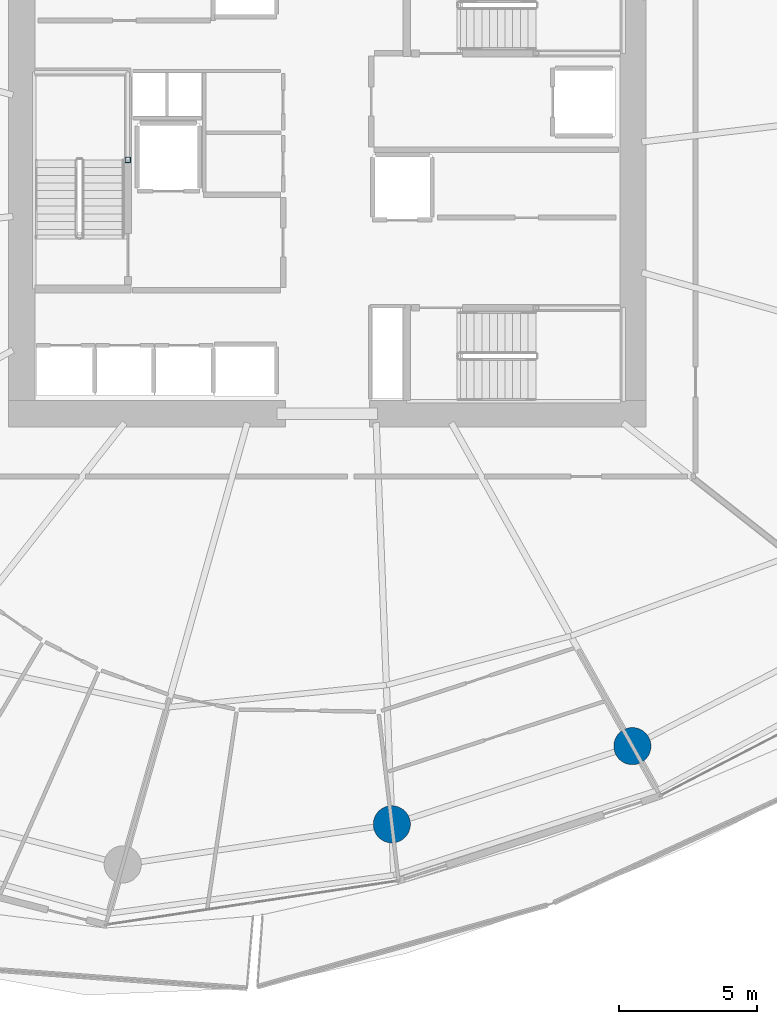
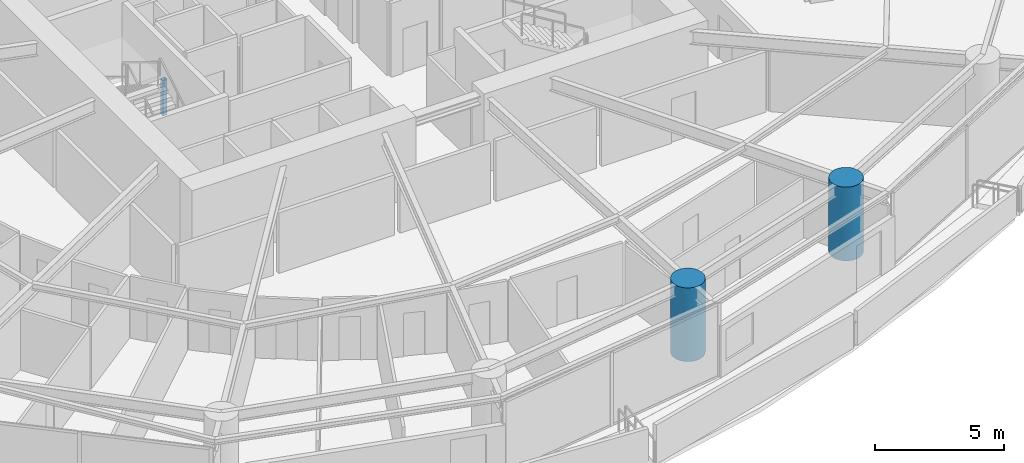
# One storey, part 2 of 31: 3 columns.
"""IFC4 building model written with IfcOpenShell, lengths in metres."""

import ifcopenshell
import ifcopenshell.guid

model = None  # the IFC model being written
_history = None  # IfcOwnerHistory: only IFC2X3 demands one
_inside = {}  # id of a spatial element -> (the spatial element, [elements in it])
_under = {}  # id of a project, library or spatial element -> (it, [spatial elements below it])
_declared = {}  # id of a project -> (the project, [libraries it declares])
_typed = {}  # id of a type object -> (the type object, [elements of that type])
_made_of = {}  # id of a material, layer set ... -> (it, [elements and type objects made of it])


def new_model(schema):
    """Start an empty IFC model of exactly this schema.

    Asked for "IFC4X3", IfcOpenShell would pick the latest addendum, in which some entities
    have other attributes; the version numbers below select the first issue.
    IFC2X3 requires an IfcOwnerHistory on every rooted entity: one is made here for all.
    """
    global model, _history
    if schema == "IFC4X3":
        model = ifcopenshell.file(schema_version=(4, 3, 0, 0))
    else:
        model = ifcopenshell.file(schema=schema)
    _inside.clear()
    _under.clear()
    _declared.clear()
    _typed.clear()
    _made_of.clear()
    _history = None
    if model.schema == "IFC2X3":
        org = make("IfcOrganization", Name="unknown")
        user = make(
            "IfcPersonAndOrganization",
            ThePerson=make("IfcPerson", FamilyName="unknown"),
            TheOrganization=org,
        )
        app = make(
            "IfcApplication",
            ApplicationDeveloper=org,
            Version="unknown",
            ApplicationFullName="unknown",
            ApplicationIdentifier="unknown",
        )
        _history = make(
            "IfcOwnerHistory",
            OwningUser=user,
            OwningApplication=app,
            ChangeAction="ADDED",
            CreationDate=0,
        )
    return model


def make(cls, **values):
    """One entity of the class cls with the attributes given. An attribute that is None is left unset."""
    return model.create_entity(
        cls, **{name: value for name, value in values.items() if value is not None}
    )


def rooted(cls, **values):
    """An entity with a GlobalId (a new one), such as an element, a storey or a relation."""
    return make(cls, GlobalId=ifcopenshell.guid.new(), OwnerHistory=_history, **values)


def si_unit(unit_type, name, prefix=None):
    """IfcSIUnit, for example si_unit("LENGTHUNIT", "METRE", prefix="MILLI")."""
    return make("IfcSIUnit", UnitType=unit_type, Prefix=prefix, Name=name)


def assignment(units):
    """IfcUnitAssignment: the units of a project."""
    return None if units is None else make("IfcUnitAssignment", Units=units)


def point(xyz):
    """IfcCartesianPoint."""
    return None if xyz is None else make("IfcCartesianPoint", Coordinates=xyz)


def direction(xyz):
    """IfcDirection."""
    return None if xyz is None else make("IfcDirection", DirectionRatios=xyz)


def frame(location, z_axis=None, x_axis=None):
    """IfcAxis2Placement3D, a coordinate frame: its origin and axes. An axis left out is left unset."""
    return make(
        "IfcAxis2Placement3D",
        Location=point(location),
        Axis=direction(z_axis),
        RefDirection=direction(x_axis),
    )


def frame_2d(location, x_axis=None):
    """IfcAxis2Placement2D, a coordinate frame in the plane: its origin and x axis."""
    return make(
        "IfcAxis2Placement2D", Location=point(location), RefDirection=direction(x_axis)
    )


def origin():
    """The frame at (0, 0, 0) with its axes left unset."""
    return frame((0.0, 0.0, 0.0))


def origin_2d():
    """The frame at (0, 0) in the plane with its x axis left unset."""
    return frame_2d((0.0, 0.0))


def place(relative_to, where):
    """IfcLocalPlacement: puts the frame where relative to a parent placement (None: the world)."""
    return make(
        "IfcLocalPlacement", PlacementRelTo=relative_to, RelativePlacement=where
    )


def context(
    kind, dimensions, precision=None, world=None, true_north=None, identifier=None
):
    """IfcGeometricRepresentationContext, for example the 3D "Model" context."""
    return make(
        "IfcGeometricRepresentationContext",
        ContextIdentifier=identifier,
        ContextType=kind,
        CoordinateSpaceDimension=dimensions,
        Precision=precision,
        WorldCoordinateSystem=world,
        TrueNorth=true_north,
    )


def subcontext(parent, identifier, kind, view, scale=None):
    """IfcGeometricRepresentationSubContext, for example "Body" below "Model"."""
    return make(
        "IfcGeometricRepresentationSubContext",
        ContextIdentifier=identifier,
        ContextType=kind,
        ParentContext=parent,
        TargetScale=scale,
        TargetView=view,
    )


def project(units=None, contexts=None):
    """IfcProject with its units and contexts."""
    return rooted(
        "IfcProject",
        Name="project",
        RepresentationContexts=contexts,
        UnitsInContext=assignment(units),
    )


def spatial(cls, under=None, at=None, **own):
    """A site, building, storey or space (cls), placed at a placement, below another one or the project."""
    s = rooted(cls, ObjectPlacement=at, **own)
    if under is not None:
        _under.setdefault(under.id(), (under, []))[1].append(s)
    return s


def profile(cls, at=None, kind="AREA", **sizes):
    """A parametric profile (cls). Its sizes go by their IFC names, for example OverallWidth=200.0."""
    return make(cls, ProfileType=kind, Position=at, **sizes)


def hollow_rectangle(**sizes):
    """IfcRectangleHollowProfileDef."""
    return profile("IfcRectangleHollowProfileDef", **sizes)


def circle(**sizes):
    """IfcCircleProfileDef."""
    return profile("IfcCircleProfileDef", **sizes)


def extrude(swept, where, along, depth):
    """IfcExtrudedAreaSolid: the profile swept, set in the frame where, extruded along a direction by depth."""
    return make(
        "IfcExtrudedAreaSolid",
        SweptArea=swept,
        Position=where,
        ExtrudedDirection=direction(along),
        Depth=depth,
    )


def shape(context_of_items, identifier, shape_type, items):
    """IfcShapeRepresentation: the items that make up one representation, for example the "Body"."""
    return make(
        "IfcShapeRepresentation",
        ContextOfItems=context_of_items,
        RepresentationIdentifier=identifier,
        RepresentationType=shape_type,
        Items=items,
    )


def material(Name=None, Category=None):
    """IfcMaterial."""
    return make("IfcMaterial", Name=Name, Category=Category)


def material_profile(
    of_material, cross_section, Name=None, Category=None, Priority=None
):
    """IfcMaterialProfile: a cross section and its material."""
    return make(
        "IfcMaterialProfile",
        Name=Name,
        Material=of_material,
        Profile=cross_section,
        Priority=Priority,
        Category=Category,
    )


def profile_set(profiles, Name=None, composite=None):
    """IfcMaterialProfileSet."""
    return make(
        "IfcMaterialProfileSet",
        Name=Name,
        MaterialProfiles=profiles,
        CompositeProfile=composite,
    )


def made_of(thing, what):
    """Note that an element or type object is made of a material, layer set ...; save() writes the relation."""
    if what is not None:
        _made_of.setdefault(what.id(), (what, []))[1].append(thing)
    return thing


def type_object(cls, material=None, **own):
    """A type object (cls), such as IfcWallType, which elements share."""
    return made_of(rooted(cls, **own), material)


def element(
    cls,
    number,
    at=None,
    inside=None,
    cuts=None,
    type_object=None,
    material=None,
    context=None,
    identifier="Body",
    shape_type=None,
    held_by="IfcProductDefinitionShape",
    body=None,
    shapes=None,
    **own,
):
    """One element of the class cls, such as IfcWall. Its Tag is "e" and its number.

    at: its placement. inside: the storey or other place that contains it. cuts: it is an
    opening in that element (IfcRelVoidsElement). A single representation is given by context,
    identifier, shape_type and body (its items); several are given by shapes. held_by: the class
    of the entity that holds the representations. save() writes the other relations.
    """
    e = rooted(cls, Tag="e%d" % number, ObjectPlacement=at, **own)
    if body is not None:
        shapes = [shape(context, identifier, shape_type, body)]
    if shapes is not None:
        e.Representation = make(held_by, Representations=shapes)
    if inside is not None:
        _inside.setdefault(inside.id(), (inside, []))[1].append(e)
    if cuts is not None:
        rooted(
            "IfcRelVoidsElement", RelatingBuildingElement=cuts, RelatedOpeningElement=e
        )
    if type_object is not None:
        _typed.setdefault(type_object.id(), (type_object, []))[1].append(e)
    return made_of(e, material)


def aggregate(whole, parts):
    """IfcRelAggregates: a whole, such as a stair, and the parts it consists of."""
    return rooted("IfcRelAggregates", RelatingObject=whole, RelatedObjects=parts)


def save(model, path):
    """Write the relations noted so far, then the file.

    IfcRelAggregates (storeys below a building ...), IfcRelContainedInSpatialStructure (elements
    in a storey), IfcRelDefinesByType, IfcRelAssociatesMaterial and IfcRelDeclares: one each for
    every whole, place, type object, material and project.
    """
    for whole, parts in _under.values():
        aggregate(whole, parts)
    for where, things in _inside.values():
        rooted(
            "IfcRelContainedInSpatialStructure",
            RelatedElements=things,
            RelatingStructure=where,
        )
    for kind, things in _typed.values():
        rooted("IfcRelDefinesByType", RelatedObjects=things, RelatingType=kind)
    for what, things in _made_of.values():
        rooted("IfcRelAssociatesMaterial", RelatedObjects=things, RelatingMaterial=what)
    for by, libraries in _declared.values():
        rooted("IfcRelDeclares", RelatingContext=by, RelatedDefinitions=libraries)
    model.write(path)


model = new_model("IFC4")

# Units and contexts
model_context = context("Model", 3, precision=1e-05, world=origin(), true_north=direction((0.0, 1.0)))
body_context = subcontext(model_context, "Body", "Model", "MODEL_VIEW")
ifc_project = project(units=[si_unit("LENGTHUNIT", "METRE"), si_unit("AREAUNIT", "SQUARE_METRE"), si_unit("VOLUMEUNIT", "CUBIC_METRE"), si_unit("PLANEANGLEUNIT", "RADIAN"), si_unit("MASSUNIT", "GRAM", prefix="KILO")], contexts=[model_context])

# Site, building, storey
site_placement = place(None, origin())
site = spatial("IfcSite", under=ifc_project, at=site_placement, CompositionType="ELEMENT")
building_placement = place(site_placement, origin())
building = spatial("IfcBuilding", under=site, at=building_placement, Name="Kazma Halo Residences", CompositionType="ELEMENT")
storey_placement = place(building_placement, frame((0.0, 0.0, 48.89990234375)))
storey = spatial("IfcBuildingStorey", under=building, at=storey_placement, Name="L11", CompositionType="ELEMENT", Elevation=48.89990234375)

# Columns
ifc_material_1 = material(Name="Steel S355", Category="steel")
ifc_material_profile_1 = material_profile(ifc_material_1, hollow_rectangle(XDim=0.199951171875, YDim=0.199951171875, WallThickness=0.010009765625, InnerFilletRadius=0.010009765625, OuterFilletRadius=0.02001953125, at=origin_2d()), Name="SHS200x200x10")
ifc_profile_set_1 = profile_set([ifc_material_profile_1], Name="Steel S355")
column_type_1 = type_object("IfcColumnType", Name="COL-LP-SHS200", PredefinedType="COLUMN", material=ifc_profile_set_1)
column_placement = place(storey_placement, frame((41.179931640625, 42.75, 0.0), z_axis=(0.0, 0.0, 1.0), x_axis=(1.0, 0.0, 0.0)))
element("IfcColumn", 1, at=column_placement, inside=storey, type_object=column_type_1, Name="L11 ST-01 landing pilaster 1", PredefinedType="COLUMN", context=body_context, shape_type="SweptSolid", body=[
    extrude(hollow_rectangle(XDim=0.199951171875, YDim=0.199951171875, WallThickness=0.010009765625, InnerFilletRadius=0.010009765625, OuterFilletRadius=0.02001953125, at=origin_2d()), origin(), (0.0, 0.0, 1.0), 1.670166015625),
])
ifc_material_2 = material(Name="Concrete C80/95", Category="concrete")
ifc_material_profile_2 = material_profile(ifc_material_2, circle(Radius=0.675048828125, at=origin_2d()), Name="CIRC1350")
ifc_profile_set_2 = profile_set([ifc_material_profile_2], Name="Concrete C80/95")
column_type_2 = type_object("IfcColumnType", Name="COL-PERIM-1350", PredefinedType="COLUMN", material=ifc_profile_set_2)
for number, where, z_axis, x_axis, name in (
    (2, (50.768310546875, 18.610595703125, 0.0), (0.0, 0.0, 1.0), (1.0, 0.0, 0.0), "L11 perimeter ring column P12"),
    (3, (59.50830078125, 21.450439453125, 0.0), (0.0, 0.0, 1.0), (1.0, 0.0, 0.0), "L11 perimeter ring column P13"),
):
    element("IfcColumn", number, at=place(storey_placement, frame(where, z_axis=z_axis, x_axis=x_axis)), inside=storey, type_object=column_type_2, Name=name, PredefinedType="COLUMN", context=body_context, shape_type="SweptSolid", body=[
        extrude(circle(Radius=0.675048828125, at=origin_2d()), origin(), (0.0, 0.0, 1.0), 3.5),
    ])

save(model, "model.ifc")
